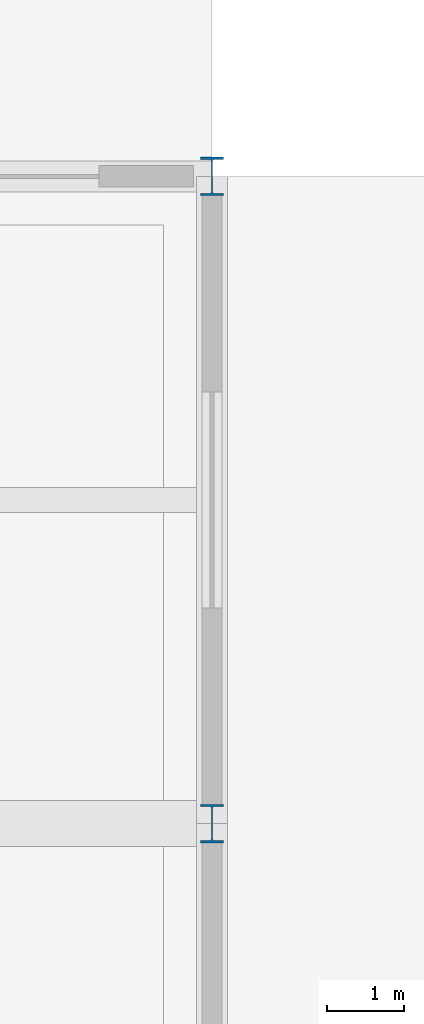
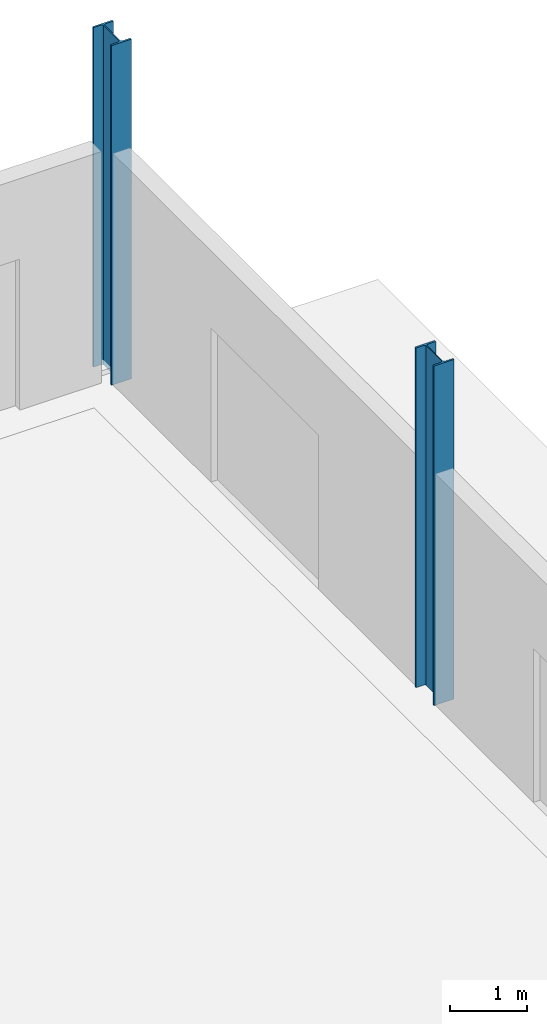
# One storey, part 22 of 124: 2 columns.
"""IFC4 building model written with IfcOpenShell, lengths in metres."""

from ifc_helpers import new_model, si_unit, direction, frame, origin, origin_2d, place, context, subcontext, project, spatial, i_section, extrude, material, material_profile, profile_set, type_object, element, save


model = new_model("IFC4")

# Units and contexts
model_context = context("Model", 3, precision=1e-05, world=origin(), true_north=direction((0.0, 1.0)))
body_context = subcontext(model_context, "Body", "Model", "MODEL_VIEW")
ifc_project = project(units=[si_unit("LENGTHUNIT", "METRE"), si_unit("AREAUNIT", "SQUARE_METRE"), si_unit("VOLUMEUNIT", "CUBIC_METRE"), si_unit("PLANEANGLEUNIT", "RADIAN"), si_unit("MASSUNIT", "GRAM", prefix="KILO")], contexts=[model_context])

# Site, building, storey
site_placement = place(None, origin())
site = spatial("IfcSite", under=ifc_project, at=site_placement, CompositionType="ELEMENT")
building_placement = place(site_placement, origin())
building = spatial("IfcBuilding", under=site, at=building_placement, Name="Brelvane Convention Centre", CompositionType="ELEMENT")
storey_placement = place(building_placement, origin())
storey = spatial("IfcBuildingStorey", under=building, at=storey_placement, Name="L00", CompositionType="ELEMENT", Elevation=0.0)

# Columns
ifc_material = material(Name="Steel E350 (350 MPa)", Category="steel")
ifc_material_profile = material_profile(ifc_material, i_section(OverallWidth=0.300048828125, OverallDepth=0.5, WebThickness=0.014404296875, FlangeThickness=0.028076171875, FilletRadius=0.027099609375, at=origin_2d()), Name="WPB 500x300")
ifc_profile_set = profile_set([ifc_material_profile], Name="Steel E350 (350 MPa)")
column_type = type_object("IfcColumnType", Name="Steel Column C-ST6 (WPB 500x300)", PredefinedType="COLUMN", material=ifc_profile_set)
for number, where, z_axis, x_axis, name in (
    (1, (224.39990234375, 135.60009765625, 0.0), (0.0, 0.0, 1.0), (1.0, 0.0, 0.0), "Column 23-P (L00)"),
    (2, (224.39990234375, 144.0, 0.0), (0.0, 0.0, 1.0), (1.0, 0.0, 0.0), "Column 23-Q (L00)"),
):
    element("IfcColumn", number, at=place(storey_placement, frame(where, z_axis=z_axis, x_axis=x_axis)), inside=storey, type_object=column_type, Name=name, PredefinedType="COLUMN", context=body_context, shape_type="SweptSolid", body=[
        extrude(i_section(OverallWidth=0.300048828125, OverallDepth=0.5, WebThickness=0.014404296875, FlangeThickness=0.028076171875, FilletRadius=0.027099609375, at=origin_2d()), origin(), (0.0, 0.0, 1.0), 5.39990234375),
    ])

save(model, "model.ifc")
